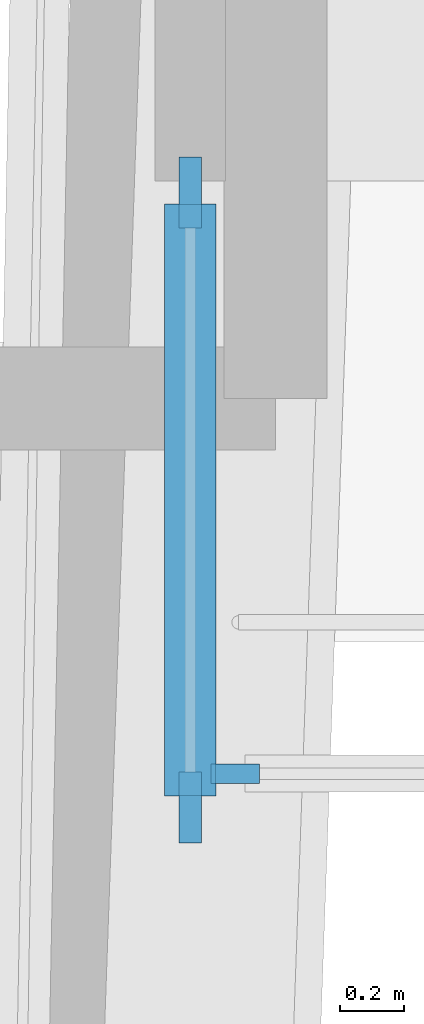
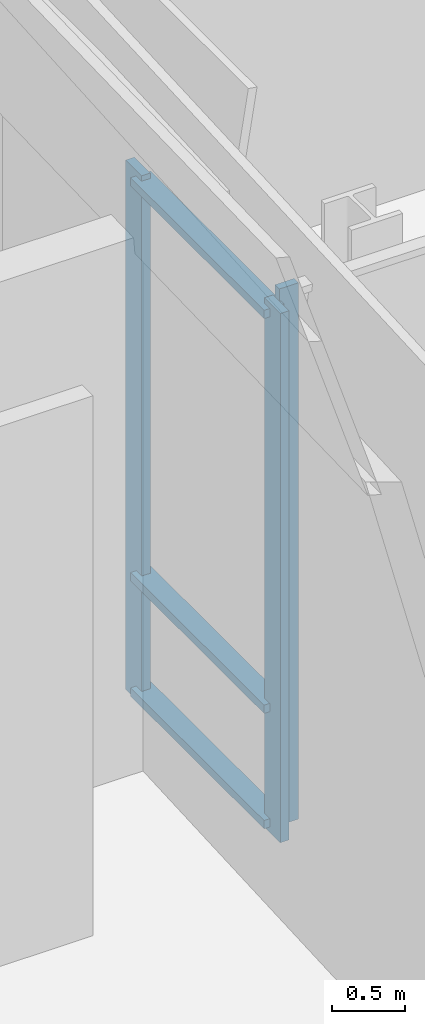
# One storey, part 11 of 41: 6 members, 2 elements without a shape of their own.
"""IFC4 building model written with IfcOpenShell, lengths in metres."""

from ifc_helpers import new_model, si_unit, direction, frame, origin, origin_2d, place, context, subcontext, project, spatial, rectangle, extrude, material, material_profile, profile_set, type_object, element, aggregate, save


model = new_model("IFC4")

# Units and contexts
model_context = context("Model", 3, precision=1e-05, world=origin(), true_north=direction((0.0, 1.0)))
body_context = subcontext(model_context, "Body", "Model", "MODEL_VIEW")
ifc_project = project(units=[si_unit("LENGTHUNIT", "METRE"), si_unit("AREAUNIT", "SQUARE_METRE"), si_unit("VOLUMEUNIT", "CUBIC_METRE"), si_unit("PLANEANGLEUNIT", "RADIAN"), si_unit("MASSUNIT", "GRAM", prefix="KILO")], contexts=[model_context])

# Site, building, storey
site_placement = place(None, origin())
site = spatial("IfcSite", under=ifc_project, at=site_placement, CompositionType="ELEMENT")
building_placement = place(site_placement, origin())
building = spatial("IfcBuilding", under=site, at=building_placement, Name="Trimount Lyric Opera House", CompositionType="ELEMENT")
storey_placement = place(building_placement, frame((0.0, 0.0, 20.0)))
storey = spatial("IfcBuildingStorey", under=building, at=storey_placement, Name="L04", CompositionType="ELEMENT", Elevation=20.0)

# Curtain wall, members
ifc_material_1 = material(Name="Thermally Broken Aluminium and Low-E Glass", Category="aluminium")
curtain_wall_type_1 = type_object("IfcCurtainWallType", Name="CW-02", PredefinedType="NOTDEFINED", material=ifc_material_1)
curtain_wall_1_placement = place(storey_placement, origin())
curtain_wall_1 = element("IfcCurtainWall", 1, at=curtain_wall_1_placement, inside=storey, type_object=curtain_wall_type_1, Name="L04 crystal fold glazed slit 333", PredefinedType="NOTDEFINED")
ifc_material_2 = material(Name="Anodised Aluminium 6063-T6", Category="aluminium")
ifc_material_profile_1 = material_profile(ifc_material_2, rectangle(XDim=0.070068359375, YDim=0.219970703125, at=origin_2d()), Name="ALU-MULL-70X220")
ifc_profile_set_1 = profile_set([ifc_material_profile_1], Name="Anodised Aluminium 6063-T6")
member_type_1 = type_object("IfcMemberType", Name="ML-01", PredefinedType="MULLION", material=ifc_profile_set_1)
member_1_placement = place(storey_placement, frame((63.2099609375, 43.35498046875, 0.0), z_axis=(0.0, 0.0, 1.0), x_axis=(-1.0, 0.0, 0.0)))
member_1 = element("IfcMember", 2, at=member_1_placement, type_object=member_type_1, Name="CW-02 mullion 1", PredefinedType="MULLION", context=body_context, shape_type="SweptSolid", body=[
    extrude(rectangle(XDim=0.070068359375, YDim=0.219970703125, at=origin_2d()), origin(), (0.0, 0.0, 1.0), 4.449951171875),
])
member_2_placement = place(storey_placement, frame((63.2099609375, 45.264892578125, 0.0), z_axis=(0.0, 0.0, 1.0), x_axis=(-1.0, 0.0, 0.0)))
member_2 = element("IfcMember", 3, at=member_2_placement, type_object=member_type_1, Name="CW-02 mullion 2", PredefinedType="MULLION", context=body_context, shape_type="SweptSolid", body=[
    extrude(rectangle(XDim=0.070068359375, YDim=0.219970703125, at=origin_2d()), origin(), (0.0, 0.0, 1.0), 4.449951171875),
])

# Curtain wall, member
ifc_material_3 = material(Name="Thermally Broken Aluminium and Low-E Glass", Category="aluminium")
curtain_wall_type_2 = type_object("IfcCurtainWallType", Name="CW-05", PredefinedType="NOTDEFINED", material=ifc_material_3)
curtain_wall_2_placement = place(storey_placement, origin())
curtain_wall_2 = element("IfcCurtainWall", 4, at=curtain_wall_2_placement, inside=storey, type_object=curtain_wall_type_2, Name="L04 curtain wall 332", PredefinedType="NOTDEFINED")
ifc_material_4 = material(Name="Anodised Aluminium 6063-T6", Category="aluminium")
ifc_material_profile_2 = material_profile(ifc_material_4, rectangle(XDim=0.06005859375, YDim=0.14990234375, at=origin_2d()), Name="ALU-MULL-60X150")
ifc_profile_set_2 = profile_set([ifc_material_profile_2], Name="Anodised Aluminium 6063-T6")
member_type_2 = type_object("IfcMemberType", Name="ML-03", PredefinedType="MULLION", material=ifc_profile_set_2)
member_3_placement = place(storey_placement, frame((63.35009765625, 43.4599609375, 0.0), z_axis=(0.0, 0.0, 1.0), x_axis=(0.0, -1.0, 0.0)))
member_3 = element("IfcMember", 5, at=member_3_placement, type_object=member_type_2, Name="CW-05 mullion 3", PredefinedType="MULLION", context=body_context, shape_type="SweptSolid", body=[
    extrude(rectangle(XDim=0.06005859375, YDim=0.14990234375, at=origin_2d()), origin(), (0.0, 0.0, 1.0), 4.510009765625),
])
aggregate(curtain_wall_2, [member_3])

# Member
ifc_material_5 = material(Name="Anodised Aluminium 6063-T6", Category="aluminium")
ifc_material_profile_3 = material_profile(ifc_material_5, rectangle(XDim=0.159912109375, YDim=0.070068359375, at=origin_2d()), Name="ALU-TRAN-70X160")
ifc_profile_set_3 = profile_set([ifc_material_profile_3], Name="Anodised Aluminium 6063-T6")
member_type_3 = type_object("IfcMemberType", Name="TR-01", PredefinedType="USERDEFINED", material=ifc_profile_set_3)
member_4_placement = place(storey_placement, frame((63.2099609375, 43.389892578125, 0.080078125), z_axis=(0.0, 1.0, 0.0), x_axis=(-1.0, 0.0, 0.0)))
member_4 = element("IfcMember", 6, at=member_4_placement, type_object=member_type_3, Name="CW-02 transom 1.1", ObjectType="TRANSOM", PredefinedType="USERDEFINED", context=body_context, shape_type="SweptSolid", body=[
    extrude(rectangle(XDim=0.159912109375, YDim=0.070068359375, at=origin_2d()), origin(), (0.0, 0.0, 1.0), 1.840087890625),
])

member_5_placement = place(storey_placement, frame((63.2099609375, 43.389892578125, 1.050048828125), z_axis=(0.0, 1.0, 0.0), x_axis=(-1.0, 0.0, 0.0)))
member_5 = element("IfcMember", 7, at=member_5_placement, type_object=member_type_3, Name="CW-02 transom 1.2", ObjectType="TRANSOM", PredefinedType="USERDEFINED", context=body_context, shape_type="SweptSolid", body=[
    extrude(rectangle(XDim=0.159912109375, YDim=0.070068359375, at=origin_2d()), origin(), (0.0, 0.0, 1.0), 1.840087890625),
])

member_6_placement = place(storey_placement, frame((63.2099609375, 43.389892578125, 4.3701171875), z_axis=(0.0, 1.0, 0.0), x_axis=(-1.0, 0.0, 0.0)))
member_6 = element("IfcMember", 8, at=member_6_placement, type_object=member_type_3, Name="CW-02 transom 1.3", ObjectType="TRANSOM", PredefinedType="USERDEFINED", context=body_context, shape_type="SweptSolid", body=[
    extrude(rectangle(XDim=0.159912109375, YDim=0.070068359375, at=origin_2d()), origin(), (0.0, 0.0, 1.0), 1.840087890625),
])

aggregate(curtain_wall_1, [member_1, member_2, member_4, member_5, member_6])

save(model, "model.ifc")
